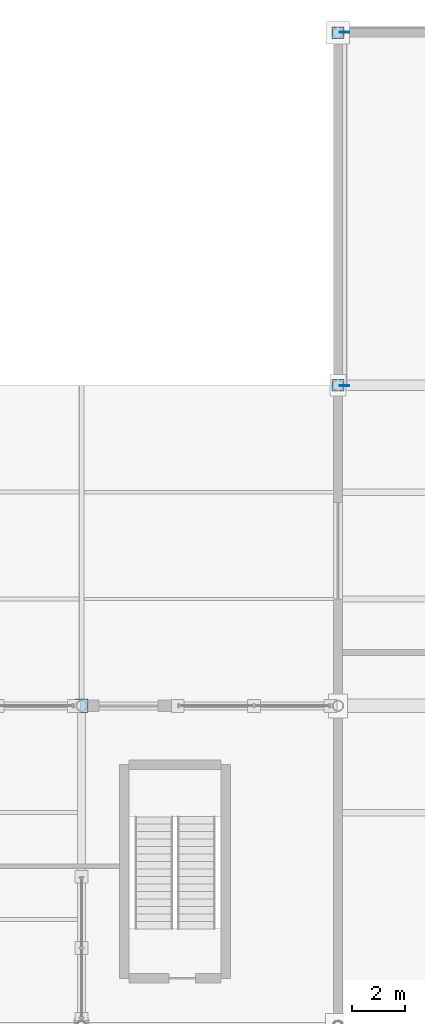
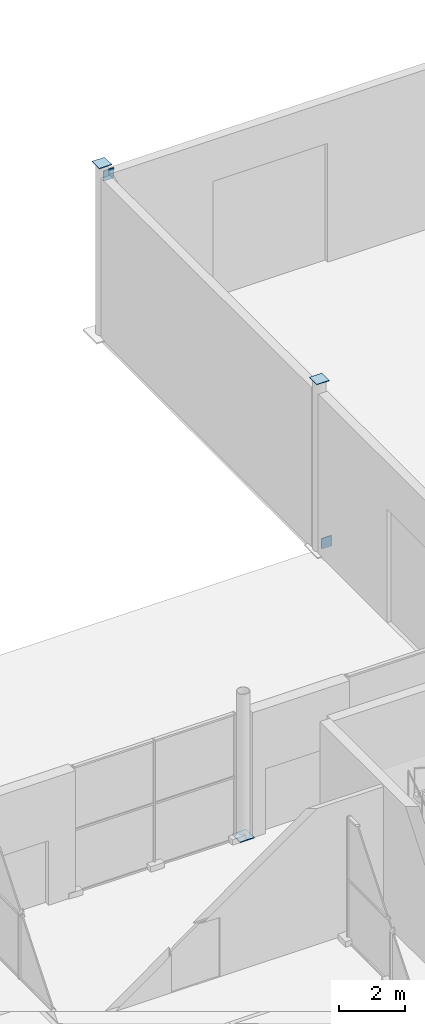
# One storey, part 165 of 196: 5 plates.
"""IFC4 building model written with IfcOpenShell, lengths in metres."""

import ifcopenshell
import ifcopenshell.guid

model = None  # the IFC model being written
_history = None  # IfcOwnerHistory: only IFC2X3 demands one
_inside = {}  # id of a spatial element -> (the spatial element, [elements in it])
_under = {}  # id of a project, library or spatial element -> (it, [spatial elements below it])
_declared = {}  # id of a project -> (the project, [libraries it declares])
_typed = {}  # id of a type object -> (the type object, [elements of that type])
_made_of = {}  # id of a material, layer set ... -> (it, [elements and type objects made of it])


def new_model(schema):
    """Start an empty IFC model of exactly this schema.

    Asked for "IFC4X3", IfcOpenShell would pick the latest addendum, in which some entities
    have other attributes; the version numbers below select the first issue.
    IFC2X3 requires an IfcOwnerHistory on every rooted entity: one is made here for all.
    """
    global model, _history
    if schema == "IFC4X3":
        model = ifcopenshell.file(schema_version=(4, 3, 0, 0))
    else:
        model = ifcopenshell.file(schema=schema)
    _inside.clear()
    _under.clear()
    _declared.clear()
    _typed.clear()
    _made_of.clear()
    _history = None
    if model.schema == "IFC2X3":
        org = make("IfcOrganization", Name="unknown")
        user = make(
            "IfcPersonAndOrganization",
            ThePerson=make("IfcPerson", FamilyName="unknown"),
            TheOrganization=org,
        )
        app = make(
            "IfcApplication",
            ApplicationDeveloper=org,
            Version="unknown",
            ApplicationFullName="unknown",
            ApplicationIdentifier="unknown",
        )
        _history = make(
            "IfcOwnerHistory",
            OwningUser=user,
            OwningApplication=app,
            ChangeAction="ADDED",
            CreationDate=0,
        )
    return model


def make(cls, **values):
    """One entity of the class cls with the attributes given. An attribute that is None is left unset."""
    return model.create_entity(
        cls, **{name: value for name, value in values.items() if value is not None}
    )


def rooted(cls, **values):
    """An entity with a GlobalId (a new one), such as an element, a storey or a relation."""
    return make(cls, GlobalId=ifcopenshell.guid.new(), OwnerHistory=_history, **values)


def si_unit(unit_type, name, prefix=None):
    """IfcSIUnit, for example si_unit("LENGTHUNIT", "METRE", prefix="MILLI")."""
    return make("IfcSIUnit", UnitType=unit_type, Prefix=prefix, Name=name)


def assignment(units):
    """IfcUnitAssignment: the units of a project."""
    return None if units is None else make("IfcUnitAssignment", Units=units)


def point(xyz):
    """IfcCartesianPoint."""
    return None if xyz is None else make("IfcCartesianPoint", Coordinates=xyz)


def direction(xyz):
    """IfcDirection."""
    return None if xyz is None else make("IfcDirection", DirectionRatios=xyz)


def frame(location, z_axis=None, x_axis=None):
    """IfcAxis2Placement3D, a coordinate frame: its origin and axes. An axis left out is left unset."""
    return make(
        "IfcAxis2Placement3D",
        Location=point(location),
        Axis=direction(z_axis),
        RefDirection=direction(x_axis),
    )


def frame_2d(location, x_axis=None):
    """IfcAxis2Placement2D, a coordinate frame in the plane: its origin and x axis."""
    return make(
        "IfcAxis2Placement2D", Location=point(location), RefDirection=direction(x_axis)
    )


def origin():
    """The frame at (0, 0, 0) with its axes left unset."""
    return frame((0.0, 0.0, 0.0))


def origin_2d():
    """The frame at (0, 0) in the plane with its x axis left unset."""
    return frame_2d((0.0, 0.0))


def place(relative_to, where):
    """IfcLocalPlacement: puts the frame where relative to a parent placement (None: the world)."""
    return make(
        "IfcLocalPlacement", PlacementRelTo=relative_to, RelativePlacement=where
    )


def context(
    kind, dimensions, precision=None, world=None, true_north=None, identifier=None
):
    """IfcGeometricRepresentationContext, for example the 3D "Model" context."""
    return make(
        "IfcGeometricRepresentationContext",
        ContextIdentifier=identifier,
        ContextType=kind,
        CoordinateSpaceDimension=dimensions,
        Precision=precision,
        WorldCoordinateSystem=world,
        TrueNorth=true_north,
    )


def subcontext(parent, identifier, kind, view, scale=None):
    """IfcGeometricRepresentationSubContext, for example "Body" below "Model"."""
    return make(
        "IfcGeometricRepresentationSubContext",
        ContextIdentifier=identifier,
        ContextType=kind,
        ParentContext=parent,
        TargetScale=scale,
        TargetView=view,
    )


def project(units=None, contexts=None):
    """IfcProject with its units and contexts."""
    return rooted(
        "IfcProject",
        Name="project",
        RepresentationContexts=contexts,
        UnitsInContext=assignment(units),
    )


def spatial(cls, under=None, at=None, **own):
    """A site, building, storey or space (cls), placed at a placement, below another one or the project."""
    s = rooted(cls, ObjectPlacement=at, **own)
    if under is not None:
        _under.setdefault(under.id(), (under, []))[1].append(s)
    return s


def profile(cls, at=None, kind="AREA", **sizes):
    """A parametric profile (cls). Its sizes go by their IFC names, for example OverallWidth=200.0."""
    return make(cls, ProfileType=kind, Position=at, **sizes)


def rectangle(**sizes):
    """IfcRectangleProfileDef."""
    return profile("IfcRectangleProfileDef", **sizes)


def extrude(swept, where, along, depth):
    """IfcExtrudedAreaSolid: the profile swept, set in the frame where, extruded along a direction by depth."""
    return make(
        "IfcExtrudedAreaSolid",
        SweptArea=swept,
        Position=where,
        ExtrudedDirection=direction(along),
        Depth=depth,
    )


def shape(context_of_items, identifier, shape_type, items):
    """IfcShapeRepresentation: the items that make up one representation, for example the "Body"."""
    return make(
        "IfcShapeRepresentation",
        ContextOfItems=context_of_items,
        RepresentationIdentifier=identifier,
        RepresentationType=shape_type,
        Items=items,
    )


def material(Name=None, Category=None):
    """IfcMaterial."""
    return make("IfcMaterial", Name=Name, Category=Category)


def layer(
    of_material, thickness, ventilated=None, Name=None, Category=None, Priority=None
):
    """IfcMaterialLayer: one layer of a wall or slab, of a material (None: an air gap)."""
    return make(
        "IfcMaterialLayer",
        Material=of_material,
        LayerThickness=thickness,
        IsVentilated=ventilated,
        Name=Name,
        Category=Category,
        Priority=Priority,
    )


def layer_set(layers, Name=None):
    """IfcMaterialLayerSet."""
    return make("IfcMaterialLayerSet", MaterialLayers=layers, LayerSetName=Name)


def made_of(thing, what):
    """Note that an element or type object is made of a material, layer set ...; save() writes the relation."""
    if what is not None:
        _made_of.setdefault(what.id(), (what, []))[1].append(thing)
    return thing


def type_object(cls, material=None, **own):
    """A type object (cls), such as IfcWallType, which elements share."""
    return made_of(rooted(cls, **own), material)


def element(
    cls,
    number,
    at=None,
    inside=None,
    cuts=None,
    type_object=None,
    material=None,
    context=None,
    identifier="Body",
    shape_type=None,
    held_by="IfcProductDefinitionShape",
    body=None,
    shapes=None,
    **own,
):
    """One element of the class cls, such as IfcWall. Its Tag is "e" and its number.

    at: its placement. inside: the storey or other place that contains it. cuts: it is an
    opening in that element (IfcRelVoidsElement). A single representation is given by context,
    identifier, shape_type and body (its items); several are given by shapes. held_by: the class
    of the entity that holds the representations. save() writes the other relations.
    """
    e = rooted(cls, Tag="e%d" % number, ObjectPlacement=at, **own)
    if body is not None:
        shapes = [shape(context, identifier, shape_type, body)]
    if shapes is not None:
        e.Representation = make(held_by, Representations=shapes)
    if inside is not None:
        _inside.setdefault(inside.id(), (inside, []))[1].append(e)
    if cuts is not None:
        rooted(
            "IfcRelVoidsElement", RelatingBuildingElement=cuts, RelatedOpeningElement=e
        )
    if type_object is not None:
        _typed.setdefault(type_object.id(), (type_object, []))[1].append(e)
    return made_of(e, material)


def aggregate(whole, parts):
    """IfcRelAggregates: a whole, such as a stair, and the parts it consists of."""
    return rooted("IfcRelAggregates", RelatingObject=whole, RelatedObjects=parts)


def save(model, path):
    """Write the relations noted so far, then the file.

    IfcRelAggregates (storeys below a building ...), IfcRelContainedInSpatialStructure (elements
    in a storey), IfcRelDefinesByType, IfcRelAssociatesMaterial and IfcRelDeclares: one each for
    every whole, place, type object, material and project.
    """
    for whole, parts in _under.values():
        aggregate(whole, parts)
    for where, things in _inside.values():
        rooted(
            "IfcRelContainedInSpatialStructure",
            RelatedElements=things,
            RelatingStructure=where,
        )
    for kind, things in _typed.values():
        rooted("IfcRelDefinesByType", RelatedObjects=things, RelatingType=kind)
    for what, things in _made_of.values():
        rooted("IfcRelAssociatesMaterial", RelatedObjects=things, RelatingMaterial=what)
    for by, libraries in _declared.values():
        rooted("IfcRelDeclares", RelatingContext=by, RelatedDefinitions=libraries)
    model.write(path)


model = new_model("IFC4")

# Units and contexts
model_context = context("Model", 3, precision=1e-05, world=origin(), true_north=direction((0.0, 1.0)))
body_context = subcontext(model_context, "Body", "Model", "MODEL_VIEW")
ifc_project = project(units=[si_unit("LENGTHUNIT", "METRE"), si_unit("AREAUNIT", "SQUARE_METRE"), si_unit("VOLUMEUNIT", "CUBIC_METRE"), si_unit("PLANEANGLEUNIT", "RADIAN"), si_unit("MASSUNIT", "GRAM", prefix="KILO")], contexts=[model_context])

# Site, building, storey
site_placement = place(None, origin())
site = spatial("IfcSite", under=ifc_project, at=site_placement, CompositionType="ELEMENT")
building_placement = place(site_placement, origin())
building = spatial("IfcBuilding", under=site, at=building_placement, Name="Merenkruunu Market Hall", CompositionType="ELEMENT")
storey_placement = place(building_placement, origin())
storey = spatial("IfcBuildingStorey", under=building, at=storey_placement, Name="L00", CompositionType="ELEMENT", Elevation=0.0)

# Plates
ifc_material = material(Name="Steel S355ML", Category="steel")
ifc_layer_1 = layer(ifc_material, 0.028076171875)
ifc_layer_set_1 = layer_set([ifc_layer_1], Name="Steel S355ML")
plate_type_1 = type_object("IfcPlateType", Name="Column Base Plate BP05", PredefinedType="USERDEFINED", material=ifc_layer_set_1)
plate_placement = place(storey_placement, frame((67.199951171875, 99.60009765625, 0.0), z_axis=(0.0, 0.0, 1.0), x_axis=(1.0, 0.0, 0.0)))
element("IfcPlate", 1, at=plate_placement, inside=storey, type_object=plate_type_1, Name="PLT-BP-H-11", ObjectType="BASE_PLATE", PredefinedType="USERDEFINED", context=body_context, shape_type="SweptSolid", body=[
    extrude(rectangle(XDim=0.5, YDim=0.5, at=origin_2d()), origin(), (0.0, 0.0, 1.0), 0.028076171875),
])
ifc_layer_2 = layer(ifc_material, 0.02197265625)
ifc_layer_set_2 = layer_set([ifc_layer_2], Name="Steel S355ML")
plate_type_2 = type_object("IfcPlateType", Name="Truss Gusset Or Cap Plate CP02", PredefinedType="USERDEFINED", material=ifc_layer_set_2)
for number, where, z_axis, x_axis, name in (
    (2, (76.800048828125, 111.60009765625, 6.298095703125), (0.0, 0.0, 1.0), (1.0, 0.0, 0.0), "PLT-CAP-048"),
    (3, (76.800048828125, 124.800048828125, 6.298095703125), (0.0, 0.0, 1.0), (1.0, 0.0, 0.0), "PLT-CAP-049"),
):
    element("IfcPlate", number, at=place(storey_placement, frame(where, z_axis=z_axis, x_axis=x_axis)), inside=storey, type_object=plate_type_2, Name=name, ObjectType="GUSSET_PLATE", PredefinedType="USERDEFINED", context=body_context, shape_type="SweptSolid", body=[
        extrude(rectangle(XDim=0.43994140625, YDim=0.43994140625, at=origin_2d()), origin(), (0.0, 0.0, 1.0), 0.02197265625),
    ])
ifc_layer_3 = layer(ifc_material, 0.035888671875)
ifc_layer_set_3 = layer_set([ifc_layer_3], Name="Steel S355ML")
plate_type_3 = type_object("IfcPlateType", Name="Truss Gusset Or Cap Plate CP08", PredefinedType="USERDEFINED", material=ifc_layer_set_3)
for number, where, z_axis, x_axis, name in (
    (4, (77.0400390625, 111.58203125, 0.010009765625), (0.0, 0.0, 1.0), (1.0, 0.0, 0.0), "PLT-CBF10-A"),
    (5, (77.0400390625, 124.818115234375, 5.610107421875), (0.0, 0.0, 1.0), (1.0, 0.0, 0.0), "PLT-CBF10-B"),
):
    element("IfcPlate", number, at=place(storey_placement, frame(where, z_axis=z_axis, x_axis=x_axis)), inside=storey, type_object=plate_type_3, Name=name, ObjectType="GUSSET_PLATE", PredefinedType="USERDEFINED", context=body_context, shape_type="SweptSolid", body=[
        extrude(rectangle(XDim=0.360107421875, YDim=0.035888671875, at=origin_2d()), origin(), (0.0, 0.0, 1.0), 0.3798828125),
    ])

save(model, "model.ifc")
